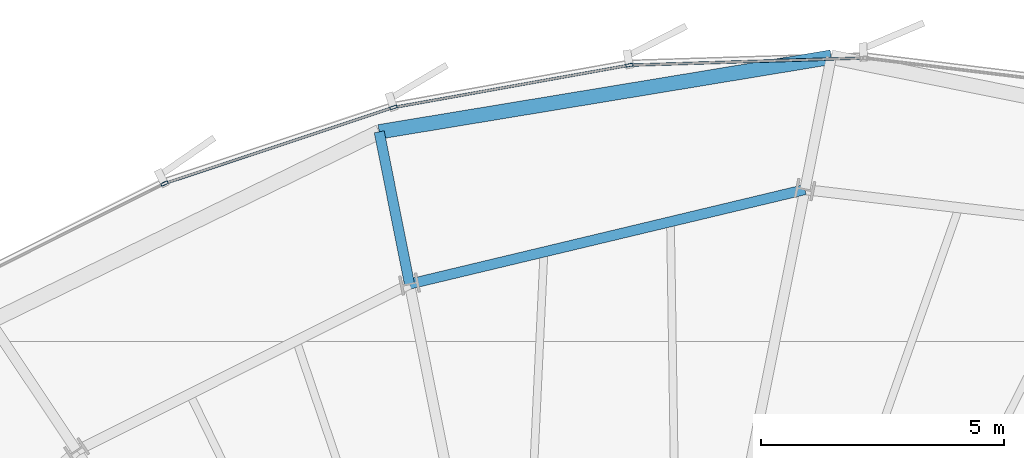
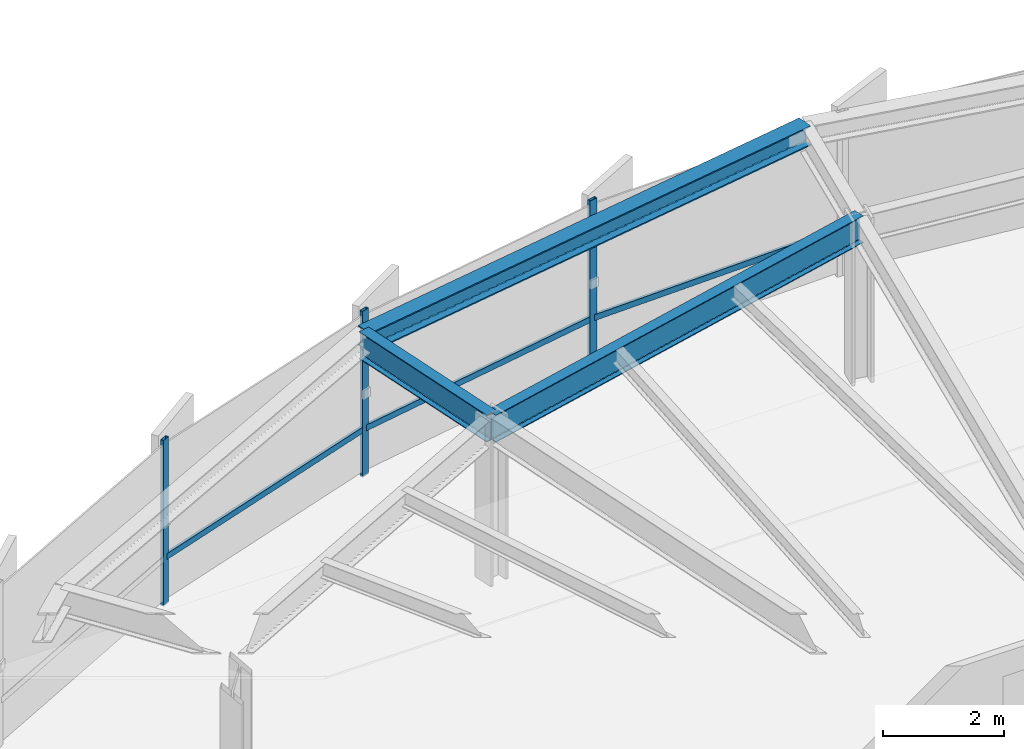
# One storey, part 21 of 34: 6 members, 3 beams, 1 element without a shape of its own.
"""IFC4 building model written with IfcOpenShell, lengths in metres."""

from ifc_helpers import new_model, si_unit, direction, frame, origin, origin_2d, place, context, subcontext, project, spatial, hollow_rectangle, i_section, extrude, source, transform, mapped, material, layer, layer_set, material_profile, profile_set, type_object, element, aggregate, save


model = new_model("IFC4")

# Units and contexts
model_context = context("Model", 3, precision=1e-05, world=origin(), true_north=direction((0.0, 1.0)))
body_context = subcontext(model_context, "Body", "Model", "MODEL_VIEW")
ifc_project = project(units=[si_unit("LENGTHUNIT", "METRE"), si_unit("AREAUNIT", "SQUARE_METRE"), si_unit("VOLUMEUNIT", "CUBIC_METRE"), si_unit("PLANEANGLEUNIT", "RADIAN"), si_unit("MASSUNIT", "GRAM", prefix="KILO"), si_unit("THERMODYNAMICTEMPERATUREUNIT", "KELVIN")], contexts=[model_context])

# Site, building, storey
site_placement = place(None, origin())
site = spatial("IfcSite", under=ifc_project, at=site_placement, CompositionType="ELEMENT")
building_placement = place(site_placement, origin())
building = spatial("IfcBuilding", under=site, at=building_placement, Name="Kethvar Cultural Tower", CompositionType="ELEMENT")
storey_placement = place(building_placement, frame((0.0, 0.0, 125.199951171875)))
storey = spatial("IfcBuildingStorey", under=building, at=storey_placement, Name="L31", CompositionType="ELEMENT", Elevation=125.199951171875)

# Beams
ifc_material_1 = material(Name="Steel S355J2", Category="steel")
ifc_material_profile_1 = material_profile(ifc_material_1, i_section(OverallWidth=0.2099609375, OverallDepth=0.550048828125, WebThickness=0.010986328125, FlangeThickness=0.01708984375, FilletRadius=0.02392578125, at=origin_2d()), Name="Steel S355J2 — IPE550")
ifc_profile_set_1 = profile_set([ifc_material_profile_1], Name="Steel S355J2 — IPE550")
beam_type_1 = type_object("IfcBeamType", Name="BM-IPE550", PredefinedType="BEAM", material=ifc_profile_set_1)
shared_shape_1 = source(origin(), body_context, "Body", "SweptSolid", [
    extrude(i_section(OverallWidth=0.2099609375, OverallDepth=0.550048828125, WebThickness=0.010986328125, FlangeThickness=0.01708984375, FilletRadius=0.02392578125, at=origin_2d()), origin(), (0.0, 0.0, 1.0), 3.199951171875),
])
beam_1_placement = place(storey_placement, frame((42.9189453125, 47.311279296875, 3.072998046875), z_axis=(-0.195088965533, 0.980785550224, 0.0), x_axis=(-0.980785550224, -0.195088965533, 0.0)))
element("IfcBeam", 1, at=beam_1_placement, inside=storey, type_object=beam_type_1, Name="L31 Perimeter Cantilever Beam RC-05", PredefinedType="BEAM", context=body_context, shape_type="MappedRepresentation", body=[
    mapped(shared_shape_1, transform((0.0, 0.0, 0.0), scale=1.0)),
])
shared_shape_2 = source(origin(), body_context, "Body", "SweptSolid", [
    extrude(i_section(OverallWidth=0.2099609375, OverallDepth=0.550048828125, WebThickness=0.010986328125, FlangeThickness=0.01708984375, FilletRadius=0.02392578125, at=origin_2d()), origin(), (0.0, 0.0, 1.0), 8.379150390625),
])
beam_2_placement = place(storey_placement, frame((51.068603515625, 49.25927734375, 3.072998046875), z_axis=(-0.972601380857, -0.232479147355, 0.0), x_axis=(0.232479147355, -0.972601380857, 0.0)))
element("IfcBeam", 2, at=beam_2_placement, inside=storey, type_object=beam_type_1, Name="L31 Column Ring Tie Beam CR-04", PredefinedType="BEAM", context=body_context, shape_type="MappedRepresentation", body=[
    mapped(shared_shape_2, transform((0.0, 0.0, 0.0), scale=1.0)),
])
ifc_material_profile_2 = material_profile(ifc_material_1, i_section(OverallWidth=0.300048828125, OverallDepth=0.39990234375, WebThickness=0.013427734375, FlangeThickness=0.02392578125, FilletRadius=0.027099609375, at=origin_2d()), Name="Steel S355J2 — HEB400")
ifc_profile_set_2 = profile_set([ifc_material_profile_2], Name="Steel S355J2 — HEB400")
beam_type_2 = type_object("IfcBeamType", Name="BM-SP400", PredefinedType="SPANDREL", material=ifc_profile_set_2)
shared_shape_3 = source(origin(), body_context, "Body", "SweptSolid", [
    extrude(i_section(OverallWidth=0.300048828125, OverallDepth=0.39990234375, WebThickness=0.013427734375, FlangeThickness=0.02392578125, FilletRadius=0.027099609375, at=origin_2d()), origin(), (0.0, 0.0, 1.0), 9.4423828125),
])
beam_3_placement = place(storey_placement, frame((51.611083984375, 51.9873046875, 3.14794921875), z_axis=(-0.986652645057, -0.162839055518, 0.0), x_axis=(0.162839055518, -0.986652645057, 0.0)))
element("IfcBeam", 3, at=beam_3_placement, inside=storey, type_object=beam_type_2, Name="L31 Perimeter Spandrel Beam SP-04", PredefinedType="SPANDREL", context=body_context, shape_type="MappedRepresentation", body=[
    mapped(shared_shape_3, transform((0.0, 0.0, 0.0), scale=1.0)),
])

# Curtain wall, members
ifc_material_2 = material(Name="Aluminium 6063-T6", Category="aluminium")
ifc_layer = layer(ifc_material_2, 0.179931640625, Name="Aluminium 6063-T6", Category="aluminium")
ifc_layer_set = layer_set([ifc_layer], Name="Aluminium 6063-T6 (180 mm)")
curtain_wall_type = type_object("IfcCurtainWallType", Name="CW-SYS-03-Z2", PredefinedType="NOTDEFINED", material=ifc_layer_set)
curtain_wall_placement = place(storey_placement, origin())
curtain_wall = element("IfcCurtainWall", 4, at=curtain_wall_placement, inside=storey, type_object=curtain_wall_type, Name="L31 Curtain Wall Run 02", PredefinedType="NOTDEFINED")
ifc_material_profile_3 = material_profile(ifc_material_2, hollow_rectangle(XDim=0.06005859375, YDim=0.14990234375, WallThickness=0.0048828125, at=origin_2d()), Name="Aluminium 6063-T6 — RHS150x60x5")
ifc_profile_set_3 = profile_set([ifc_material_profile_3], Name="Aluminium 6063-T6 — RHS150x60x5")
member_type_1 = type_object("IfcMemberType", Name="CW-SYS-03-Z2-MUL", PredefinedType="MULLION", material=ifc_profile_set_3)
shared_shape_4 = source(origin(), body_context, "Body", "SweptSolid", [
    extrude(hollow_rectangle(XDim=0.06005859375, YDim=0.14990234375, WallThickness=0.0048828125, at=origin_2d()), origin(), (0.0, 0.0, 1.0), 3.35009765625),
])
member_1_placement = place(storey_placement, frame((47.452392578125, 51.823486328125, 0.0), z_axis=(0.0, 0.0, 1.0), x_axis=(0.176500675744, -0.984300518877, 0.0)))
member_1 = element("IfcMember", 5, at=member_1_placement, type_object=member_type_1, Name="CW-L31-R02 Mullion 2", PredefinedType="MULLION", context=body_context, shape_type="MappedRepresentation", body=[
    mapped(shared_shape_4, transform((0.0, 0.0, 0.0), scale=1.0)),
])
member_2_placement = place(storey_placement, frame((42.58837890625, 50.952392578125, 0.0), z_axis=(0.0, 0.0, 1.0), x_axis=(0.315682158776, -0.948864992836, 0.0)))
member_2 = element("IfcMember", 6, at=member_2_placement, type_object=member_type_1, Name="CW-L31-R02 Mullion 3", PredefinedType="MULLION", context=body_context, shape_type="MappedRepresentation", body=[
    mapped(shared_shape_4, transform((0.0, 0.0, 0.0), scale=1.0)),
])
member_3_placement = place(storey_placement, frame((37.86865234375, 49.383544921875, 0.0), z_axis=(0.0, 0.0, 1.0), x_axis=(0.447790299437, -0.894138606554, 0.0)))
member_3 = element("IfcMember", 7, at=member_3_placement, type_object=member_type_1, Name="CW-L31-R02 Mullion 4", PredefinedType="MULLION", context=body_context, shape_type="MappedRepresentation", body=[
    mapped(shared_shape_4, transform((0.0, 0.0, 0.0), scale=1.0)),
])
ifc_material_profile_4 = material_profile(ifc_material_2, hollow_rectangle(XDim=0.054931640625, YDim=0.1201171875, WallThickness=0.00390625, at=origin_2d()), Name="Aluminium 6063-T6 — RHS120x55x4")
ifc_profile_set_4 = profile_set([ifc_material_profile_4], Name="Aluminium 6063-T6 — RHS120x55x4")
member_type_2 = type_object("IfcMemberType", Name="CW-SYS-03-Z2-TRN", PredefinedType="USERDEFINED", material=ifc_profile_set_4)
shared_shape_5 = source(origin(), body_context, "Body", "SweptSolid", [
    extrude(hollow_rectangle(XDim=0.054931640625, YDim=0.1201171875, WallThickness=0.00390625, at=origin_2d()), origin(), (0.0, 0.0, 1.0), 4.903564453125),
])
member_4_placement = place(storey_placement, frame((42.54736328125, 50.938720703125, 0.949951171875), z_axis=(-0.948872325174, -0.31566011867, 0.0), x_axis=(0.31566011867, -0.948872325174, 0.0)))
member_4 = element("IfcMember", 8, at=member_4_placement, type_object=member_type_2, Name="CW-L31-R02 Transom 3", ObjectType="TRANSOM", PredefinedType="USERDEFINED", context=body_context, shape_type="MappedRepresentation", body=[
    mapped(shared_shape_5, transform((0.0, 0.0, 0.0), scale=1.0)),
])
shared_shape_6 = source(origin(), body_context, "Body", "SweptSolid", [
    extrude(hollow_rectangle(XDim=0.054931640625, YDim=0.1201171875, WallThickness=0.00390625, at=origin_2d()), origin(), (0.0, 0.0, 1.0), 4.796875),
])
member_5_placement = place(storey_placement, frame((52.2734375, 51.970458984375, 0.949951171875), z_axis=(-0.999527396229, -0.030740595108, 0.0), x_axis=(0.030740595108, -0.999527396229, 0.0)))
member_5 = element("IfcMember", 9, at=member_5_placement, type_object=member_type_2, Name="CW-L31-R02 Transom 1", ObjectType="TRANSOM", PredefinedType="USERDEFINED", context=body_context, shape_type="MappedRepresentation", body=[
    mapped(shared_shape_6, transform((0.0, 0.0, 0.0), scale=1.0)),
])
shared_shape_7 = source(origin(), body_context, "Body", "SweptSolid", [
    extrude(hollow_rectangle(XDim=0.054931640625, YDim=0.1201171875, WallThickness=0.00390625, at=origin_2d()), origin(), (0.0, 0.0, 1.0), 4.87158203125),
])
member_6_placement = place(storey_placement, frame((47.409912109375, 51.81591796875, 0.949951171875), z_axis=(-0.984291310102, -0.176552023089, 0.0), x_axis=(0.176552023089, -0.984291310102, 0.0)))
member_6 = element("IfcMember", 10, at=member_6_placement, type_object=member_type_2, Name="CW-L31-R02 Transom 2", ObjectType="TRANSOM", PredefinedType="USERDEFINED", context=body_context, shape_type="MappedRepresentation", body=[
    mapped(shared_shape_7, transform((0.0, 0.0, 0.0), scale=1.0)),
])
aggregate(curtain_wall, [member_1, member_2, member_3, member_5, member_6, member_4])

save(model, "model.ifc")
